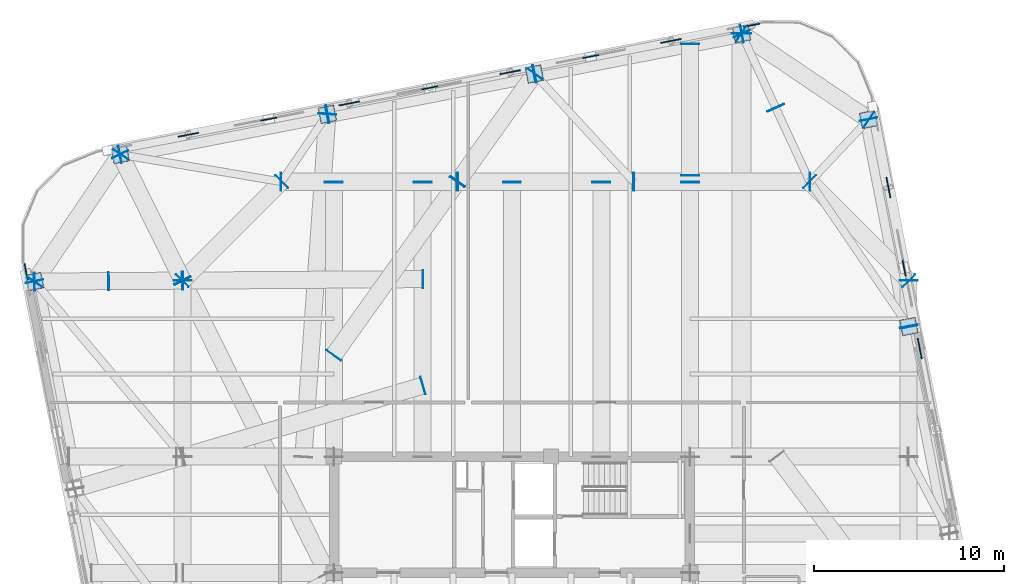
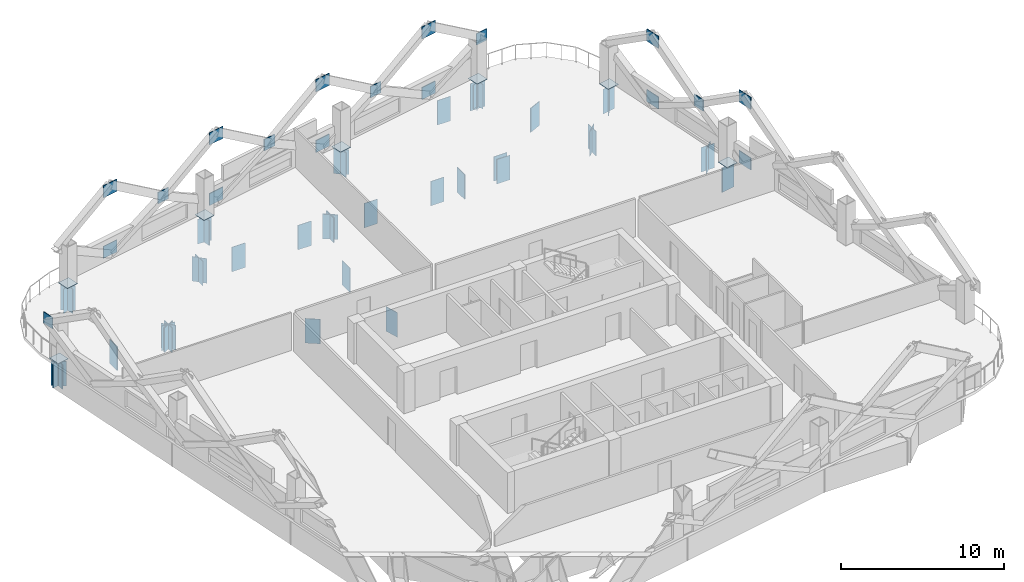
# One storey, part 8 of 14: 76 plates.
"""IFC4 building model written with IfcOpenShell, lengths in metres."""

from ifc_helpers import new_model, si_unit, direction, frame, origin, origin_2d, place, context, subcontext, project, spatial, rectangle, extrude, material, layer, layer_set, type_object, element, save


model = new_model("IFC4")

# Units and contexts
model_context = context("Model", 3, precision=1e-05, world=origin(), true_north=direction((0.0, 1.0)))
body_context = subcontext(model_context, "Body", "Model", "MODEL_VIEW")
ifc_project = project(units=[si_unit("LENGTHUNIT", "METRE"), si_unit("AREAUNIT", "SQUARE_METRE"), si_unit("VOLUMEUNIT", "CUBIC_METRE"), si_unit("PLANEANGLEUNIT", "RADIAN"), si_unit("MASSUNIT", "GRAM", prefix="KILO")], contexts=[model_context])

# Site, building, storey
site_placement = place(None, origin())
site = spatial("IfcSite", under=ifc_project, at=site_placement, CompositionType="ELEMENT")
building_placement = place(site_placement, origin())
building = spatial("IfcBuilding", under=site, at=building_placement, Name="Qhalaya Broadcast Tower", CompositionType="ELEMENT")
storey_placement = place(building_placement, frame((0.0, 0.0, 112.800048828125)))
storey = spatial("IfcBuildingStorey", under=building, at=storey_placement, Name="L32", CompositionType="ELEMENT", Elevation=112.800048828125)

# Plates
ifc_material = material(Name="Structural Steel ASTM A572 Grade 50", Category="steel")
ifc_layer_1 = layer(ifc_material, 0.054931640625, Name="Structural Steel ASTM A572 Grade 50")
ifc_layer_set_1 = layer_set([ifc_layer_1], Name="Structural Steel ASTM A572 Grade 50")
plate_type_1 = type_object("IfcPlateType", Name="Exoskeleton Diamond Node Gusset Plate NP-01", PredefinedType="USERDEFINED", material=ifc_layer_set_1)
for number, where, z_axis, x_axis, name in (
    (1, (21.4501953125, 15.642578125, 0.2099609375), (0.0, 0.0, 1.0), (-0.190808995377, 0.981627183448, 0.0), "Exoskeleton Diamond Node B3-E3-BOT"),
    (2, (21.4501953125, 15.642578125, 4.75), (0.0, 0.0, 1.0), (-0.190808995377, 0.981627183448, 0.0), "Exoskeleton Diamond Node B3-E3-TOP"),
    (3, (19.804443359375, 24.109375, 0.2099609375), (0.0, 0.0, 1.0), (-0.190808995377, 0.981627183448, 0.0), "Exoskeleton Diamond Node B3-E4-BOT"),
    (4, (19.804443359375, 24.109375, 4.75), (0.0, 0.0, 1.0), (-0.190808995377, 0.981627183448, 0.0), "Exoskeleton Diamond Node B3-E4-TOP"),
):
    element("IfcPlate", number, at=place(storey_placement, frame(where, z_axis=z_axis, x_axis=x_axis)), inside=storey, type_object=plate_type_1, Name=name, ObjectType="GUSSET_PLATE", PredefinedType="USERDEFINED", context=body_context, shape_type="SweptSolid", body=[
        extrude(rectangle(XDim=1.10009765625, YDim=0.054931640625, at=origin_2d()), origin(), (0.0, 0.0, 1.0), 0.89990234375),
    ])
plate_1_placement = place(storey_placement, frame((20.62744140625, 19.8759765625, 2.264892578125), z_axis=(0.0, 0.0, 1.0), x_axis=(-0.190808995377, 0.981627183448, 0.0)))
element("IfcPlate", 5, at=plate_1_placement, inside=storey, type_object=plate_type_1, Name="Exoskeleton Diamond Node B3-E4-MDL", ObjectType="GUSSET_PLATE", PredefinedType="USERDEFINED", context=body_context, shape_type="SweptSolid", body=[
    extrude(rectangle(XDim=0.85009765625, YDim=0.054931640625, at=origin_2d()), origin(), (0.0, 0.0, 1.0), 0.85009765625),
])
for number, where, z_axis, x_axis, name in (
    (6, (8.370361328125, 31.82177734375, 0.2099609375), (0.0, 0.0, 1.0), (0.981627183448, 0.190808995377, 0.0), "Exoskeleton Diamond Node B3-N1-BOT"),
    (7, (8.370361328125, 31.82177734375, 4.75), (0.0, 0.0, 1.0), (0.981627183448, 0.190808995377, 0.0), "Exoskeleton Diamond Node B3-N1-TOP"),
):
    element("IfcPlate", number, at=place(storey_placement, frame(where, z_axis=z_axis, x_axis=x_axis)), inside=storey, type_object=plate_type_1, Name=name, ObjectType="GUSSET_PLATE", PredefinedType="USERDEFINED", context=body_context, shape_type="SweptSolid", body=[
        extrude(rectangle(XDim=1.10009765625, YDim=0.054931640625, at=origin_2d()), origin(), (0.0, 0.0, 1.0), 0.89990234375),
    ])
plate_2_placement = place(storey_placement, frame((12.603515625, 32.64453125, 2.264892578125), z_axis=(0.0, 0.0, 1.0), x_axis=(0.981627183448, 0.190808995377, 0.0)))
element("IfcPlate", 8, at=plate_2_placement, inside=storey, type_object=plate_type_1, Name="Exoskeleton Diamond Node B3-N1-MDL", ObjectType="GUSSET_PLATE", PredefinedType="USERDEFINED", context=body_context, shape_type="SweptSolid", body=[
    extrude(rectangle(XDim=0.85009765625, YDim=0.054931640625, at=origin_2d()), origin(), (0.0, 0.0, 1.0), 0.85009765625),
])
for number, where, z_axis, x_axis, name in (
    (9, (-0.09619140625, 30.176025390625, 0.2099609375), (0.0, 0.0, 1.0), (0.981627183448, 0.190808995377, 0.0), "Exoskeleton Diamond Node B3-N2-BOT"),
    (10, (-0.09619140625, 30.176025390625, 4.75), (0.0, 0.0, 1.0), (0.981627183448, 0.190808995377, 0.0), "Exoskeleton Diamond Node B3-N2-TOP"),
):
    element("IfcPlate", number, at=place(storey_placement, frame(where, z_axis=z_axis, x_axis=x_axis)), inside=storey, type_object=plate_type_1, Name=name, ObjectType="GUSSET_PLATE", PredefinedType="USERDEFINED", context=body_context, shape_type="SweptSolid", body=[
        extrude(rectangle(XDim=1.10009765625, YDim=0.054931640625, at=origin_2d()), origin(), (0.0, 0.0, 1.0), 0.89990234375),
    ])
plate_3_placement = place(storey_placement, frame((4.13720703125, 30.998779296875, 2.264892578125), z_axis=(0.0, 0.0, 1.0), x_axis=(0.981627183448, 0.190808995377, 0.0)))
element("IfcPlate", 11, at=plate_3_placement, inside=storey, type_object=plate_type_1, Name="Exoskeleton Diamond Node B3-N2-MDL", ObjectType="GUSSET_PLATE", PredefinedType="USERDEFINED", context=body_context, shape_type="SweptSolid", body=[
    extrude(rectangle(XDim=0.85009765625, YDim=0.054931640625, at=origin_2d()), origin(), (0.0, 0.0, 1.0), 0.85009765625),
])
for number, where, z_axis, x_axis, name in (
    (12, (-8.562744140625, 28.5302734375, 0.2099609375), (0.0, 0.0, 1.0), (0.981627183448, 0.190808995377, 0.0), "Exoskeleton Diamond Node B3-N3-BOT"),
    (13, (-8.562744140625, 28.5302734375, 4.75), (0.0, 0.0, 1.0), (0.981627183448, 0.190808995377, 0.0), "Exoskeleton Diamond Node B3-N3-TOP"),
):
    element("IfcPlate", number, at=place(storey_placement, frame(where, z_axis=z_axis, x_axis=x_axis)), inside=storey, type_object=plate_type_1, Name=name, ObjectType="GUSSET_PLATE", PredefinedType="USERDEFINED", context=body_context, shape_type="SweptSolid", body=[
        extrude(rectangle(XDim=1.10009765625, YDim=0.054931640625, at=origin_2d()), origin(), (0.0, 0.0, 1.0), 0.89990234375),
    ])
plate_4_placement = place(storey_placement, frame((-4.32958984375, 29.35302734375, 2.264892578125), z_axis=(0.0, 0.0, 1.0), x_axis=(0.981627183448, 0.190808995377, 0.0)))
element("IfcPlate", 14, at=plate_4_placement, inside=storey, type_object=plate_type_1, Name="Exoskeleton Diamond Node B3-N3-MDL", ObjectType="GUSSET_PLATE", PredefinedType="USERDEFINED", context=body_context, shape_type="SweptSolid", body=[
    extrude(rectangle(XDim=0.85009765625, YDim=0.054931640625, at=origin_2d()), origin(), (0.0, 0.0, 1.0), 0.85009765625),
])
for number, where, z_axis, x_axis, name in (
    (15, (-17.029296875, 26.884521484375, 0.2099609375), (0.0, 0.0, 1.0), (0.981627183448, 0.190808995377, 0.0), "Exoskeleton Diamond Node B3-N4-BOT"),
    (16, (-17.029296875, 26.884521484375, 4.75), (0.0, 0.0, 1.0), (0.981627183448, 0.190808995377, 0.0), "Exoskeleton Diamond Node B3-N4-TOP"),
):
    element("IfcPlate", number, at=place(storey_placement, frame(where, z_axis=z_axis, x_axis=x_axis)), inside=storey, type_object=plate_type_1, Name=name, ObjectType="GUSSET_PLATE", PredefinedType="USERDEFINED", context=body_context, shape_type="SweptSolid", body=[
        extrude(rectangle(XDim=1.10009765625, YDim=0.054931640625, at=origin_2d()), origin(), (0.0, 0.0, 1.0), 0.89990234375),
    ])
for number, where, z_axis, x_axis, name in (
    (17, (-12.7958984375, 27.70751953125, 2.264892578125), (0.0, 0.0, 1.0), (0.981627183448, 0.190808995377, 0.0), "Exoskeleton Diamond Node B3-N4-MDL"),
    (18, (-25.564697265625, 19.68359375, 2.264892578125), (0.0, 0.0, 1.0), (-0.190808995377, 0.981627183448, 0.0), "Exoskeleton Diamond Node B3-W1-MDL"),
):
    element("IfcPlate", number, at=place(storey_placement, frame(where, z_axis=z_axis, x_axis=x_axis)), inside=storey, type_object=plate_type_1, Name=name, ObjectType="GUSSET_PLATE", PredefinedType="USERDEFINED", context=body_context, shape_type="SweptSolid", body=[
        extrude(rectangle(XDim=0.85009765625, YDim=0.054931640625, at=origin_2d()), origin(), (0.0, 0.0, 1.0), 0.85009765625),
    ])
ifc_layer_2 = layer(ifc_material, 0.4599609375, Name="Structural Steel ASTM A572 Grade 50")
ifc_layer_set_2 = layer_set([ifc_layer_2], Name="Structural Steel ASTM A572 Grade 50")
plate_type_2 = type_object("IfcPlateType", Name="Hollow Box Member End Cap Plate CP-01", PredefinedType="USERDEFINED", material=ifc_layer_set_2)
for number, where, z_axis, x_axis, name in (
    (19, (20.877197265625, 16.808349609375, -2.0400390625), (0.0, 0.0, 1.0), (-0.981627183448, -0.190808995377, 0.0), "L32 Hollow Girder End Cap L32-SPR-06-B"),
    (20, (20.883544921875, 16.77685546875, -2.0400390625), (0.0, 0.0, 1.0), (-0.981627183448, -0.190808995377, 0.0), "L32 Hollow Girder End Cap L32-SPR-07-A"),
    (21, (18.75927734375, 27.704345703125, -2.0400390625), (0.0, 0.0, 1.0), (-0.981627183448, -0.190808995377, 0.0), "L32 Hollow Girder End Cap L32-SPR-07-B"),
    (22, (18.775634765625, 27.6796875, -2.0400390625), (0.0, 0.0, 1.0), (-0.559192903471, -0.829037572555, 0.0), "L32 Hollow Girder End Cap L32-SPR-08-A"),
    (23, (12.066162109375, 32.205078125, -2.0400390625), (0.0, 0.0, 1.0), (-0.559192903471, -0.829037572555, 0.0), "L32 Hollow Girder End Cap L32-SPR-08-B"),
    (24, (12.09521484375, 32.199462890625, -2.0400390625), (0.0, 0.0, 1.0), (0.190808995377, -0.981627183448, 0.0), "L32 Hollow Girder End Cap L32-SPR-09-A"),
    (25, (1.167724609375, 30.0751953125, -2.0400390625), (0.0, 0.0, 1.0), (0.190808995377, -0.981627183448, 0.0), "L32 Hollow Girder End Cap L32-SPR-09-B"),
    (26, (1.19921875, 30.08154296875, -2.0400390625), (0.0, 0.0, 1.0), (0.190808995377, -0.981627183448, 0.0), "L32 Hollow Girder End Cap L32-SPR-10-A"),
    (27, (-9.728271484375, 27.957275390625, -2.0400390625), (0.0, 0.0, 1.0), (0.190808995377, -0.981627183448, 0.0), "L32 Hollow Girder End Cap L32-SPR-10-B"),
    (28, (-9.697021484375, 27.96337890625, -2.0400390625), (0.0, 0.0, 1.0), (0.190808995377, -0.981627183448, 0.0), "L32 Hollow Girder End Cap L32-SPR-11-A"),
    (29, (-20.62451171875, 25.83935546875, -2.0400390625), (0.0, 0.0, 1.0), (0.190808995377, -0.981627183448, 0.0), "L32 Hollow Girder End Cap L32-SPR-11-B"),
    (30, (-20.599853515625, 25.855712890625, -2.0400390625), (0.0, 0.0, 1.0), (0.829037572555, -0.559192903471, 0.0), "L32 Hollow Girder End Cap L32-SPR-12-A"),
    (31, (-25.125244140625, 19.146240234375, -2.0400390625), (0.0, 0.0, 1.0), (0.829037572555, -0.559192903471, 0.0), "L32 Hollow Girder End Cap L32-SPR-12-B"),
    (32, (-25.119384765625, 19.17529296875, -2.0400390625), (0.0, 0.0, 1.0), (0.981627183448, 0.190808995377, 0.0), "L32 Hollow Girder End Cap L32-SPR-13-A"),
    (33, (20.8701171875, 19.22607421875, -2.0400390625), (0.0, 0.0, 1.0), (-1.0, 0.0, 0.0), "L32 Hollow Girder End Cap L32-TGL-07-B"),
    (34, (20.88134765625, 19.19873046875, -2.0400390625), (0.0, 0.0, 1.0), (-0.707106781187, -0.707106781187, 0.0), "L32 Hollow Girder End Cap L32-TGL-08-A"),
    (35, (15.65869140625, 24.42138671875, -2.0400390625), (0.0, 0.0, 1.0), (-0.707106781187, -0.707106781187, 0.0), "L32 Hollow Girder End Cap L32-TGL-08-B"),
    (36, (15.68603515625, 24.409912109375, -2.0400390625), (0.0, 0.0, 1.0), (0.0, -1.0, 0.0), "L32 Hollow Girder End Cap L32-TGL-09-A"),
    (37, (6.38720703125, 24.409912109375, -2.0400390625), (0.0, 0.0, 1.0), (0.0, -1.0, 0.0), "L32 Hollow Girder End Cap L32-TGL-09-B"),
    (38, (6.419189453125, 24.409912109375, -2.0400390625), (0.0, 0.0, 1.0), (0.0, -1.0, 0.0), "L32 Hollow Girder End Cap L32-TGL-10-A"),
    (39, (-2.87939453125, 24.409912109375, -2.0400390625), (0.0, 0.0, 1.0), (0.0, -1.0, 0.0), "L32 Hollow Girder End Cap L32-TGL-10-B"),
    (40, (-2.847412109375, 24.409912109375, -2.0400390625), (0.0, 0.0, 1.0), (0.0, -1.0, 0.0), "L32 Hollow Girder End Cap L32-TGL-11-A"),
    (41, (-12.14599609375, 24.409912109375, -2.0400390625), (0.0, 0.0, 1.0), (0.0, -1.0, 0.0), "L32 Hollow Girder End Cap L32-TGL-11-B"),
    (42, (-12.11865234375, 24.42138671875, -2.0400390625), (0.0, 0.0, 1.0), (0.707106781187, -0.707106781187, 0.0), "L32 Hollow Girder End Cap L32-TGL-12-A"),
    (43, (-17.34130859375, 19.19873046875, -2.0400390625), (0.0, 0.0, 1.0), (0.707106781187, -0.707106781187, 0.0), "L32 Hollow Girder End Cap L32-TGL-12-B"),
    (44, (-17.330078125, 19.22607421875, -2.0400390625), (0.0, 0.0, 1.0), (1.0, 0.0, 0.0), "L32 Hollow Girder End Cap L32-TGL-13-A"),
    (45, (-9.375, 24.385986328125, -2.0400390625), (0.0, 0.0, 1.0), (-1.0, 0.0, 0.0), "L32 Hollow Girder End Cap L32-TGINW-1-B"),
    (46, (9.375, 24.385986328125, -2.0400390625), (0.0, 0.0, 1.0), (-1.0, 0.0, 0.0), "L32 Hollow Girder End Cap L32-TGINE-1-B"),
    (47, (0.0, 24.385986328125, -2.0400390625), (0.0, 0.0, 1.0), (-1.0, 0.0, 0.0), "L32 Hollow Girder End Cap L32-TGIMN-1-B"),
    (48, (-4.699951171875, 24.385986328125, -2.0400390625), (0.0, 0.0, 1.0), (-1.0, 0.0, 0.0), "L32 Hollow Girder End Cap L32-TGIMNW-1-B"),
    (49, (4.699951171875, 24.385986328125, -2.0400390625), (0.0, 0.0, 1.0), (-1.0, 0.0, 0.0), "L32 Hollow Girder End Cap L32-TGIMNE-1-B"),
):
    element("IfcPlate", number, at=place(storey_placement, frame(where, z_axis=z_axis, x_axis=x_axis)), inside=storey, type_object=plate_type_2, Name=name, ObjectType="COVER_PLATE", PredefinedType="USERDEFINED", context=body_context, shape_type="SweptSolid", body=[
        extrude(rectangle(XDim=0.93994140625, YDim=0.031982421875, at=origin_2d()), origin(), (0.0, 0.0, 1.0), 1.840087890625),
    ])
plate_5_placement = place(storey_placement, frame((12.07958984375, 32.21240234375, -2.239990234375), z_axis=(0.0, 0.0, 1.0), x_axis=(-1.0, 0.0, 0.0)))
element("IfcPlate", 50, at=plate_5_placement, inside=storey, type_object=plate_type_2, Name="L32 Hollow Girder End Cap L32-TGA-09-B", ObjectType="COVER_PLATE", PredefinedType="USERDEFINED", context=body_context, shape_type="SweptSolid", body=[
    extrude(rectangle(XDim=1.0400390625, YDim=0.031982421875, at=origin_2d()), origin(), (0.0, 0.0, 1.0), 2.0400390625),
])
plate_6_placement = place(storey_placement, frame((12.07958984375, 32.1962890625, -2.02001953125), z_axis=(0.0, 0.0, 1.0), x_axis=(-0.908099326901, -0.418754835772, 0.0)))
element("IfcPlate", 51, at=plate_6_placement, inside=storey, type_object=plate_type_2, Name="L32 Transfer Box End Cap 09", ObjectType="COVER_PLATE", PredefinedType="USERDEFINED", context=body_context, shape_type="SweptSolid", body=[
    extrude(rectangle(XDim=0.919921875, YDim=0.035888671875, at=origin_2d()), origin(), (0.0, 0.0, 1.0), 1.800048828125),
])
for number, where, z_axis, x_axis, name in (
    (52, (-9.38427734375, 15.27587890625, -2.0400390625), (0.0, 0.0, 1.0), (-0.813882343662, 0.581029715829, 0.0), "L32 Hollow Girder End Cap L32-TGA-10-A"),
    (53, (-2.85400390625, 24.423095703125, -2.0400390625), (0.0, 0.0, 1.0), (-0.813882343662, 0.581029715829, 0.0), "L32 Hollow Girder End Cap L32-TGA-10-B"),
    (54, (-2.87255859375, 24.39697265625, -2.0400390625), (0.0, 0.0, 1.0), (-0.813882343662, 0.581029715829, 0.0), "L32 Hollow Girder End Cap L32-TGC-10-A"),
    (55, (1.192626953125, 30.09130859375, -2.0400390625), (0.0, 0.0, 1.0), (-0.813882343662, 0.581029715829, 0.0), "L32 Hollow Girder End Cap L32-TGC-10-B"),
    (56, (-9.71142578125, 27.976318359375, -2.0400390625), (0.0, 0.0, 1.0), (-0.997557959061, 0.069843527364, 0.0), "L32 Hollow Girder End Cap L32-TGA-11-B"),
    (57, (-17.337158203125, 19.224365234375, -2.0400390625), (0.0, 0.0, 1.0), (-0.896447761714, -0.443149422337, 0.0), "L32 Hollow Girder End Cap L32-TGA-12-B"),
    (58, (-17.322998046875, 19.19580078125, -2.0400390625), (0.0, 0.0, 1.0), (-0.896447761714, -0.443149422337, 0.0), "L32 Hollow Girder End Cap L32-TGC-12-A"),
    (59, (-20.61572265625, 25.856689453125, -2.0400390625), (0.0, 0.0, 1.0), (-0.896447761714, -0.443149422337, 0.0), "L32 Hollow Girder End Cap L32-TGC-12-B"),
    (60, (-4.68408203125, 19.2919921875, -2.0400390625), (0.0, 0.0, 1.0), (0.006492579202, -0.999978922986, 0.0), "L32 Hollow Girder End Cap L32-TGA-13-A"),
    (61, (-17.345947265625, 19.2099609375, -2.0400390625), (0.0, 0.0, 1.0), (0.006492579202, -0.999978922986, 0.0), "L32 Hollow Girder End Cap L32-TGA-13-B"),
    (62, (-17.31396484375, 19.210205078125, -2.0400390625), (0.0, 0.0, 1.0), (0.006492579202, -0.999978922986, 0.0), "L32 Hollow Girder End Cap L32-TGC-13-A"),
    (63, (-25.13232421875, 19.159423828125, -2.0400390625), (0.0, 0.0, 1.0), (0.006492579202, -0.999978922986, 0.0), "L32 Hollow Girder End Cap L32-TGC-13-B"),
):
    element("IfcPlate", number, at=place(storey_placement, frame(where, z_axis=z_axis, x_axis=x_axis)), inside=storey, type_object=plate_type_2, Name=name, ObjectType="COVER_PLATE", PredefinedType="USERDEFINED", context=body_context, shape_type="SweptSolid", body=[
        extrude(rectangle(XDim=0.93994140625, YDim=0.031982421875, at=origin_2d()), origin(), (0.0, 0.0, 1.0), 1.840087890625),
    ])
plate_7_placement = place(storey_placement, frame((-25.1162109375, 19.159423828125, -2.02001953125), z_axis=(0.0, 0.0, 1.0), x_axis=(0.006492579202, -0.999978922986, 0.0)))
element("IfcPlate", 64, at=plate_7_placement, inside=storey, type_object=plate_type_2, Name="L32 Transfer Box End Cap 13", ObjectType="COVER_PLATE", PredefinedType="USERDEFINED", context=body_context, shape_type="SweptSolid", body=[
    extrude(rectangle(XDim=0.919921875, YDim=0.035888671875, at=origin_2d()), origin(), (0.0, 0.0, 1.0), 1.800048828125),
])
for number, where, z_axis, x_axis, name in (
    (65, (-4.684814453125, 13.69091796875, -2.0400390625), (0.0, 0.0, 1.0), (0.284149218425, -0.958780069499, 0.0), "L32 Hollow Girder End Cap L32-TGA-14-A"),
    (66, (9.375, 24.73388671875, -2.0400390625), (0.0, 0.0, 1.0), (-1.0, 0.0, 0.0), "L32 Hollow Girder End Cap L32-PGXN2-OV1-A"),
    (67, (9.375, 31.666259765625, -2.0400390625), (0.0, 0.0, 1.0), (-1.0, 0.0, 0.0), "L32 Hollow Girder End Cap L32-PGXN2-OV1-B"),
):
    element("IfcPlate", number, at=place(storey_placement, frame(where, z_axis=z_axis, x_axis=x_axis)), inside=storey, type_object=plate_type_2, Name=name, ObjectType="COVER_PLATE", PredefinedType="USERDEFINED", context=body_context, shape_type="SweptSolid", body=[
        extrude(rectangle(XDim=0.93994140625, YDim=0.031982421875, at=origin_2d()), origin(), (0.0, 0.0, 1.0), 1.840087890625),
    ])
for number, where, z_axis, x_axis, name in (
    (68, (20.88037109375, 16.79248046875, -0.0322265625), (0.0, 0.0, 1.0), (-0.190808995377, 0.981627183448, 0.0), "L32 Hollow Box Column Base Cap Plate COL-EX07"),
    (69, (18.762451171875, 27.688720703125, -0.0322265625), (0.0, 0.0, 1.0), (-0.190808995377, 0.981627183448, 0.0), "L32 Hollow Box Column Base Cap Plate COL-EX08"),
    (70, (12.07958984375, 32.1962890625, -0.0322265625), (0.0, 0.0, 1.0), (0.981627183448, 0.190808995377, 0.0), "L32 Hollow Box Column Base Cap Plate COL-EX09"),
    (71, (1.183349609375, 30.078369140625, -0.0322265625), (0.0, 0.0, 1.0), (0.981627183448, 0.190808995377, 0.0), "L32 Hollow Box Column Base Cap Plate COL-EX10"),
    (72, (-9.712646484375, 27.96044921875, -0.0322265625), (0.0, 0.0, 1.0), (0.981627183448, 0.190808995377, 0.0), "L32 Hollow Box Column Base Cap Plate COL-EX11"),
    (73, (-20.608642578125, 25.84228515625, -0.0322265625), (0.0, 0.0, 1.0), (0.981627183448, 0.190808995377, 0.0), "L32 Hollow Box Column Base Cap Plate COL-EX12"),
    (74, (-25.1162109375, 19.159423828125, -0.0322265625), (0.0, 0.0, 1.0), (-0.190808995377, 0.981627183448, 0.0), "L32 Hollow Box Column Base Cap Plate COL-EX13"),
):
    element("IfcPlate", number, at=place(storey_placement, frame(where, z_axis=z_axis, x_axis=x_axis)), inside=storey, type_object=plate_type_2, Name=name, ObjectType="COVER_PLATE", PredefinedType="USERDEFINED", context=body_context, shape_type="SweptSolid", body=[
        extrude(rectangle(XDim=0.840087890625, YDim=0.840087890625, at=origin_2d()), origin(), (0.0, 0.0, 1.0), 0.031982421875),
    ])
ifc_layer_3 = layer(ifc_material, 0.044921875, Name="Structural Steel ASTM A572 Grade 50")
ifc_layer_set_3 = layer_set([ifc_layer_3], Name="Structural Steel ASTM A572 Grade 50")
plate_type_3 = type_object("IfcPlateType", Name="Transfer Girder Web Stiffener Plate WS-01", PredefinedType="USERDEFINED", material=ifc_layer_set_3)
for number, where, z_axis, x_axis, name in (
    (75, (13.874755859375, 28.30322265625, -2.02001953125), (0.0, 0.0, 1.0), (-0.908099326901, -0.418754835772, 0.0), "L32 Transfer Girder Stiffener 09"),
    (76, (-21.22314453125, 19.184814453125, -2.02001953125), (0.0, 0.0, 1.0), (0.006492579202, -0.999978922986, 0.0), "L32 Transfer Girder Stiffener 13"),
):
    element("IfcPlate", number, at=place(storey_placement, frame(where, z_axis=z_axis, x_axis=x_axis)), inside=storey, type_object=plate_type_3, Name=name, ObjectType="STIFFENER_PLATE", PredefinedType="USERDEFINED", context=body_context, shape_type="SweptSolid", body=[
        extrude(rectangle(XDim=0.93994140625, YDim=0.044921875, at=origin_2d()), origin(), (0.0, 0.0, 1.0), 1.800048828125),
    ])

save(model, "model.ifc")
